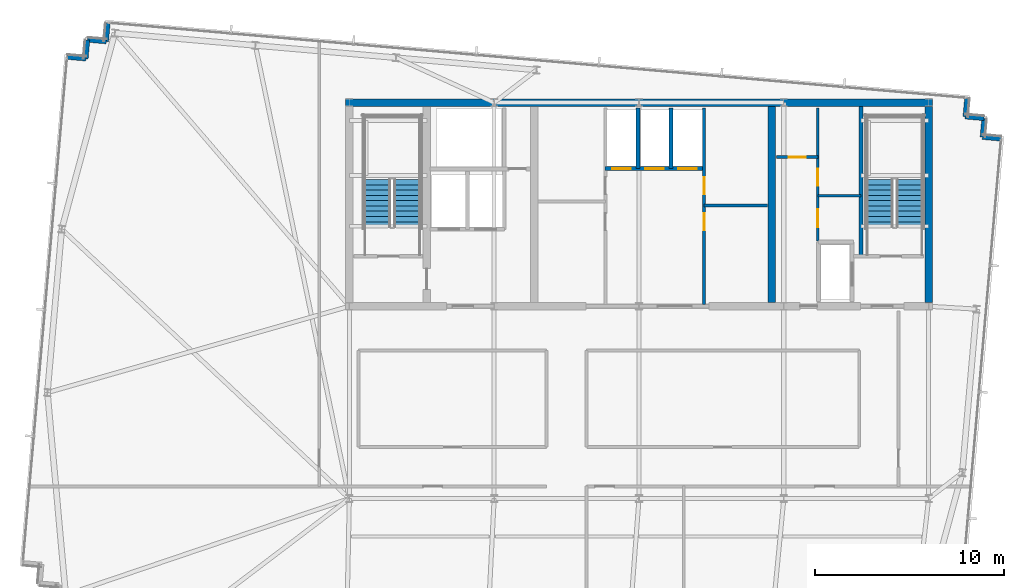
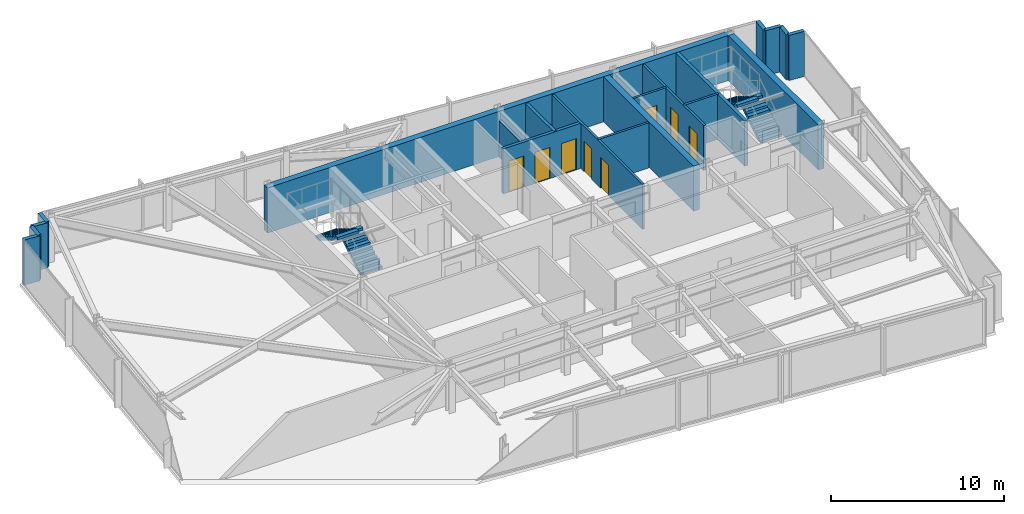
# One storey, part 28 of 32: 20 walls, 8 doors, 4 stair flights, 8 openings, 2 elements without a shape of their own.
"""IFC4 building model written with IfcOpenShell, lengths in metres."""

from ifc_helpers import new_model, si_unit, direction, frame, frame_2d, origin, place, context, subcontext, project, spatial, polyline, rectangle, outline, extrude, material, layer, layer_set, type_object, element, fill, aggregate, save


model = new_model("IFC4")

# Units and contexts
model_context = context("Model", 3, precision=1e-05, world=origin(), true_north=direction((0.0, 1.0)))
body_context = subcontext(model_context, "Body", "Model", "MODEL_VIEW")
ifc_project = project(units=[si_unit("LENGTHUNIT", "METRE"), si_unit("AREAUNIT", "SQUARE_METRE"), si_unit("VOLUMEUNIT", "CUBIC_METRE"), si_unit("PLANEANGLEUNIT", "RADIAN"), si_unit("MASSUNIT", "GRAM", prefix="KILO")], contexts=[model_context])

# Site, building, storey
site_placement = place(None, origin())
site = spatial("IfcSite", under=ifc_project, at=site_placement, CompositionType="ELEMENT")
building_placement = place(site_placement, origin())
building = spatial("IfcBuilding", under=site, at=building_placement, Name="Yelkora Congress Tower", CompositionType="ELEMENT")
storey_placement = place(building_placement, frame((0.0, 0.0, 262.5)))
storey = spatial("IfcBuildingStorey", under=building, at=storey_placement, Name="L73", CompositionType="ELEMENT", Elevation=262.5)

# Walls
ifc_material_1 = material(Name="Concrete C50/60", Category="concrete")
ifc_layer_1 = layer(ifc_material_1, 0.219970703125)
ifc_layer_set_1 = layer_set([ifc_layer_1], Name="Concrete C50/60")
wall_type_1 = type_object("IfcWallType", Name="WALL-CORE-INT-220", PredefinedType="SHEAR", material=ifc_layer_set_1)
wall_1_placement = place(storey_placement, frame((50.179931640625, 38.050048828125, 0.0), z_axis=(0.0, 0.0, 1.0), x_axis=(0.0, 1.0, 0.0)))
element("IfcWall", 1, at=wall_1_placement, inside=storey, type_object=wall_type_1, Name="L73 ST02 West Stair Shear Wall", PredefinedType="SHEAR", context=body_context, shape_type="SweptSolid", body=[
    extrude(rectangle(XDim=7.949951171875, YDim=0.219970703125, at=frame_2d((3.97509765625, 0.0))), origin(), (0.0, 0.0, 1.0), 3.179931640625),
])
ifc_layer_2 = layer(ifc_material_1, 0.39990234375)
ifc_layer_set_2 = layer_set([ifc_layer_2], Name="Concrete C50/60")
wall_type_2 = type_object("IfcWallType", Name="WALL-CORE-INT-400", PredefinedType="SHEAR", material=ifc_layer_set_2)
wall_2_placement = place(storey_placement, frame((22.840087890625, 46.199951171875, 0.0), z_axis=(0.0, 0.0, 1.0), x_axis=(1.0, 0.0, 0.0)))
element("IfcWall", 2, at=wall_2_placement, inside=storey, type_object=wall_type_2, Name="L73 Rear Core North Shear Wall", PredefinedType="SHEAR", context=body_context, shape_type="SweptSolid", body=[
    extrude(rectangle(XDim=31.119873046875, YDim=0.39990234375, at=frame_2d((15.56005859375, 0.0))), origin(), (0.0, 0.0, 1.0), 3.179931640625),
])
for number, where, z_axis, x_axis, name in (
    (3, (45.449951171875, 35.60009765625, 0.0), (0.0, 0.0, 1.0), (0.0, 1.0, 0.0), "L73 Rear Core Cross Shear Wall C3"),
    (4, (53.760009765625, 35.60009765625, 0.0), (0.0, 0.0, 1.0), (0.0, 1.0, 0.0), "L73 Rear Core Cross Shear Wall E"),
):
    element("IfcWall", number, at=place(storey_placement, frame(where, z_axis=z_axis, x_axis=x_axis)), inside=storey, type_object=wall_type_2, Name=name, PredefinedType="SHEAR", context=body_context, shape_type="SweptSolid", body=[
        extrude(rectangle(XDim=10.39990234375, YDim=0.39990234375, at=frame_2d((5.199951171875, 0.0))), origin(), (0.0, 0.0, 1.0), 3.179931640625),
    ])
ifc_material_2 = material(Name="Concrete C40/50", Category="concrete")
ifc_layer_3 = layer(ifc_material_2, 0.239990234375)
ifc_layer_set_3 = layer_set([ifc_layer_3], Name="Concrete C40/50")
wall_type_3 = type_object("IfcWallType", Name="WALL-EXT-LIMESTONE-240", PredefinedType="SOLIDWALL", material=ifc_layer_set_3)
for number, where, z_axis, x_axis, name in (
    (5, (8.0732421875, 48.609619140625, 0.0), (0.0, 0.0, 1.0), (0.996195572005, -0.087145753297, 0.0), "L73 Serrated Corner Limestone Pier 6"),
    (6, (9.069580078125, 48.5224609375, 0.0), (0.0, 0.0, 1.0), (0.087145753297, 0.996195572005, 0.0), "L73 Serrated Corner Limestone Pier 7"),
):
    element("IfcWall", number, at=place(storey_placement, frame(where, z_axis=z_axis, x_axis=x_axis)), inside=storey, type_object=wall_type_3, Name=name, PredefinedType="SOLIDWALL", context=body_context, shape_type="SweptSolid", body=[
        extrude(rectangle(XDim=1.000244140625, YDim=0.239990234375, at=frame_2d((0.5, 0.0))), origin(), (0.0, 0.0, 1.0), 3.179931640625),
    ])
for number, where, z_axis, x_axis, name in (
    (7, (9.15673828125, 49.518798828125, 0.0), (0.0, 0.0, 1.0), (0.996193717496, -0.087166950281, 0.0), "L73 Serrated Corner Limestone Pier 8"),
    (8, (10.15283203125, 49.431640625, 0.0), (0.0, 0.0, 1.0), (0.087166950281, 0.996193717496, 0.0), "L73 Serrated Corner Limestone Pier 9"),
    (9, (55.785888671875, 46.443115234375, 0.0), (0.0, 0.0, 1.0), (-0.086903493655, -0.996216734848, 0.0), "L73 Serrated Corner Limestone Pier 11"),
    (10, (55.698974609375, 45.44677734375, 0.0), (0.0, 0.0, 1.0), (0.996193717496, -0.087166950281, 0.0), "L73 Serrated Corner Limestone Pier 12"),
    (11, (56.695068359375, 45.359619140625, 0.0), (0.0, 0.0, 1.0), (-0.087166950281, -0.996193717496, 0.0), "L73 Serrated Corner Limestone Pier 13"),
    (12, (56.60791015625, 44.363525390625, 0.0), (0.0, 0.0, 1.0), (0.996193717496, -0.087166950281, 0.0), "L73 Serrated Corner Limestone Pier 14"),
):
    element("IfcWall", number, at=place(storey_placement, frame(where, z_axis=z_axis, x_axis=x_axis)), inside=storey, type_object=wall_type_3, Name=name, PredefinedType="SOLIDWALL", context=body_context, shape_type="SweptSolid", body=[
        extrude(rectangle(XDim=1.0, YDim=0.239990234375, at=frame_2d((0.5, 0.0))), origin(), (0.0, 0.0, 1.0), 3.179931640625),
    ])

# Wall, opening, door
ifc_material_3 = material(Name="Acoustic metal-stud gypsum partition", Category="gypsum")
ifc_layer_4 = layer(ifc_material_3, 0.14990234375)
ifc_layer_set_4 = layer_set([ifc_layer_4], Name="Acoustic metal-stud gypsum partition")
wall_type_4 = type_object("IfcWallType", Name="WALL-INT-150-NR", PredefinedType="PARTITIONING", material=ifc_layer_set_4)
wall_3_placement = place(storey_placement, frame((45.679931640625, 43.31005859375, 0.0), z_axis=(0.0, 0.0, 1.0), x_axis=(1.0, 0.0, 0.0)))
wall_3 = element("IfcWall", 13, at=wall_3_placement, inside=storey, type_object=wall_type_4, Name="L73 Partition Wall 20", PredefinedType="PARTITIONING", context=body_context, shape_type="SweptSolid", body=[
    extrude(rectangle(XDim=2.199951171875, YDim=0.14990234375, at=frame_2d((1.10009765625, 0.0))), origin(), (0.0, 0.0, 1.0), 3.179931640625),
])
opening_1_placement = place(wall_3_placement, frame((0.64990234375, 0.0, 0.0)))
opening_1 = element("IfcOpeningElement", 14, at=opening_1_placement, cuts=wall_3, Name="Opening DR-090N", PredefinedType="OPENING", context=body_context, shape_type="SweptSolid", body=[
    extrude(rectangle(XDim=0.89990234375, YDim=2.14990234375, at=frame_2d((0.449951171875, 1.074951171875))), frame((0.0, 0.0849609375, 0.0), z_axis=(0.0, -1.0, 0.0), x_axis=(1.0, 0.0, 0.0)), (0.0, 0.0, 1.0), 0.169921875),
])
ifc_material_4 = material(Name="Moisture-resistant laminate door leaf", Category="wood")
door_type_1 = type_object("IfcDoorType", Name="DOOR-INT-900", OperationType="NOTDEFINED", PredefinedType="DOOR", material=ifc_material_4)
door_1_placement = place(opening_1_placement, origin())
door_1 = element("IfcDoor", 15, at=door_1_placement, inside=storey, type_object=door_type_1, Name="L73 Male WC Door", OperationType="SINGLE_SWING_LEFT", OverallHeight=2.14990234375, OverallWidth=0.89990234375, PredefinedType="DOOR", context=body_context, shape_type="SweptSolid", body=[
    extrude(rectangle(XDim=0.89990234375, YDim=2.14990234375, at=frame_2d((0.449951171875, 1.074951171875))), frame((0.0, 0.02490234375, 0.0), z_axis=(0.0, -1.0, 0.0), x_axis=(1.0, 0.0, 0.0)), (0.0, 0.0, 1.0), 0.050048828125),
])
fill(opening_1, door_1)

# Wall
wall_4_placement = place(storey_placement, frame((47.8798828125, 41.260009765625, 0.0), z_axis=(0.0, 0.0, 1.0), x_axis=(1.0, 0.0, 0.0)))
element("IfcWall", 16, at=wall_4_placement, inside=storey, type_object=wall_type_4, Name="L73 Partition Wall 21", PredefinedType="PARTITIONING", context=body_context, shape_type="SweptSolid", body=[
    extrude(rectangle(XDim=2.300048828125, YDim=0.14990234375, at=frame_2d((1.14990234375, 0.0))), origin(), (0.0, 0.0, 1.0), 3.179931640625),
])

# Wall, openings, doors
wall_5_placement = place(storey_placement, frame((47.8798828125, 38.85009765625, 0.0), z_axis=(0.0, 0.0, 1.0), x_axis=(0.0, 1.0, 0.0)))
wall_5 = element("IfcWall", 17, at=wall_5_placement, inside=storey, type_object=wall_type_4, Name="L73 Partition Wall 22", PredefinedType="PARTITIONING", context=body_context, shape_type="SweptSolid", body=[
    extrude(rectangle(XDim=7.06982421875, YDim=0.14990234375, at=frame_2d((3.534912109375, 0.0))), origin(), (0.0, 0.0, 1.0), 3.179931640625),
])
opening_2_placement = place(wall_5_placement, frame((0.75, 0.0, 0.0)))
opening_2 = element("IfcOpeningElement", 18, at=opening_2_placement, cuts=wall_5, Name="Opening DR-095N", PredefinedType="OPENING", context=body_context, shape_type="SweptSolid", body=[
    extrude(rectangle(XDim=0.949951171875, YDim=2.14990234375, at=frame_2d((0.47509765625, 1.074951171875))), frame((0.0, 0.0849609375, 0.0), z_axis=(0.0, -1.0, 0.0), x_axis=(1.0, 0.0, 0.0)), (0.0, 0.0, 1.0), 0.169921875),
])
opening_3_placement = place(wall_5_placement, frame((2.949951171875, 0.0, 0.0)))
opening_3 = element("IfcOpeningElement", 19, at=opening_3_placement, cuts=wall_5, Name="Opening DR-090N", PredefinedType="OPENING", context=body_context, shape_type="SweptSolid", body=[
    extrude(rectangle(XDim=0.89990234375, YDim=2.14990234375, at=frame_2d((0.449951171875, 1.074951171875))), frame((0.0, 0.0849609375, 0.0), z_axis=(0.0, -1.0, 0.0), x_axis=(1.0, 0.0, 0.0)), (0.0, 0.0, 1.0), 0.169921875),
])
door_2_placement = place(opening_3_placement, origin())
door_2 = element("IfcDoor", 20, at=door_2_placement, inside=storey, type_object=door_type_1, Name="L73 Female WC Door", OperationType="SINGLE_SWING_LEFT", OverallHeight=2.14990234375, OverallWidth=0.89990234375, PredefinedType="DOOR", context=body_context, shape_type="SweptSolid", body=[
    extrude(rectangle(XDim=0.89990234375, YDim=2.14990234375, at=frame_2d((0.449951171875, 1.074951171875))), frame((0.0, 0.02490234375, 0.0), z_axis=(0.0, -1.0, 0.0), x_axis=(1.0, 0.0, 0.0)), (0.0, 0.0, 1.0), 0.050048828125),
])
fill(opening_3, door_2)
ifc_material_5 = material(Name="Acoustic laminated timber office door", Category="wood")
door_type_2 = type_object("IfcDoorType", Name="DOOR-INT-950", OperationType="NOTDEFINED", PredefinedType="DOOR", material=ifc_material_5)
door_3_placement = place(opening_2_placement, origin())
door_3 = element("IfcDoor", 21, at=door_3_placement, inside=storey, type_object=door_type_2, Name="L73 Accessible WC Door", OperationType="SINGLE_SWING_RIGHT", OverallHeight=2.14990234375, OverallWidth=0.949951171875, PredefinedType="DOOR", context=body_context, shape_type="SweptSolid", body=[
    extrude(rectangle(XDim=0.949951171875, YDim=2.14990234375, at=frame_2d((0.47509765625, 1.074951171875))), frame((0.0, 0.02490234375, 0.0), z_axis=(0.0, -1.0, 0.0), x_axis=(1.0, 0.0, 0.0)), (0.0, 0.0, 1.0), 0.050048828125),
])
fill(opening_2, door_3)

# Wall
ifc_material_6 = material(Name="Twin-stud fire-rated gypsum partition", Category="gypsum")
ifc_layer_5 = layer(ifc_material_6, 0.14990234375)
ifc_layer_set_5 = layer_set([ifc_layer_5], Name="Twin-stud fire-rated gypsum partition")
wall_type_5 = type_object("IfcWallType", Name="WALL-INT-150-R60", PredefinedType="PARTITIONING", material=ifc_layer_set_5)
wall_6_placement = place(storey_placement, frame((41.85009765625, 40.75, 0.0), z_axis=(0.0, 0.0, 1.0), x_axis=(1.0, 0.0, 0.0)))
element("IfcWall", 22, at=wall_6_placement, inside=storey, type_object=wall_type_5, Name="L73 Partition Wall 13", PredefinedType="PARTITIONING", context=body_context, shape_type="SweptSolid", body=[
    extrude(rectangle(XDim=3.369873046875, YDim=0.14990234375, at=frame_2d((1.68505859375, 0.0))), origin(), (0.0, 0.0, 1.0), 3.179931640625),
])

# Wall, openings, doors
wall_7_placement = place(storey_placement, frame((41.85009765625, 35.5, 0.0), z_axis=(0.0, 0.0, 1.0), x_axis=(0.0, 1.0, 0.0)))
wall_7 = element("IfcWall", 23, at=wall_7_placement, inside=storey, type_object=wall_type_5, Name="L73 Partition Wall 14", PredefinedType="PARTITIONING", context=body_context, shape_type="SweptSolid", body=[
    extrude(rectangle(XDim=10.419921875, YDim=0.14990234375, at=frame_2d((5.2099609375, 0.0))), origin(), (0.0, 0.0, 1.0), 3.179931640625),
])
opening_4_placement = place(wall_7_placement, frame((3.919921875, 0.0, 0.0)))
opening_4 = element("IfcOpeningElement", 24, at=opening_4_placement, cuts=wall_7, Name="Opening DR-090F6", PredefinedType="OPENING", context=body_context, shape_type="SweptSolid", body=[
    extrude(rectangle(XDim=0.89990234375, YDim=2.14990234375, at=frame_2d((0.449951171875, 1.074951171875))), frame((0.0, 0.0849609375, 0.0), z_axis=(0.0, -1.0, 0.0), x_axis=(1.0, 0.0, 0.0)), (0.0, 0.0, 1.0), 0.169921875),
])
opening_5_placement = place(wall_7_placement, frame((5.85009765625, 0.0, 0.0)))
opening_5 = element("IfcOpeningElement", 25, at=opening_5_placement, cuts=wall_7, Name="Opening DR-090F6", PredefinedType="OPENING", context=body_context, shape_type="SweptSolid", body=[
    extrude(rectangle(XDim=0.89990234375, YDim=2.14990234375, at=frame_2d((0.449951171875, 1.074951171875))), frame((0.0, 0.0849609375, 0.0), z_axis=(0.0, -1.0, 0.0), x_axis=(1.0, 0.0, 0.0)), (0.0, 0.0, 1.0), 0.169921875),
])
ifc_material_7 = material(Name="Painted steel riser fire door leaf", Category="steel")
door_type_3 = type_object("IfcDoorType", Name="DOOR-FD60-900", OperationType="NOTDEFINED", PredefinedType="DOOR", material=ifc_material_7)
door_4_placement = place(opening_4_placement, origin())
door_4 = element("IfcDoor", 26, at=door_4_placement, inside=storey, type_object=door_type_3, Name="L73 High-Zone BMS Door", OperationType="SINGLE_SWING_RIGHT", OverallHeight=2.14990234375, OverallWidth=0.89990234375, PredefinedType="DOOR", context=body_context, shape_type="SweptSolid", body=[
    extrude(rectangle(XDim=0.89990234375, YDim=2.14990234375, at=frame_2d((0.449951171875, 1.074951171875))), frame((0.0, 0.02490234375, 0.0), z_axis=(0.0, -1.0, 0.0), x_axis=(1.0, 0.0, 0.0)), (0.0, 0.0, 1.0), 0.050048828125),
])
fill(opening_4, door_4)
door_5_placement = place(opening_5_placement, origin())
door_5 = element("IfcDoor", 27, at=door_5_placement, inside=storey, type_object=door_type_3, Name="L73 Linen Store Door", OperationType="SINGLE_SWING_LEFT", OverallHeight=2.14990234375, OverallWidth=0.89990234375, PredefinedType="DOOR", context=body_context, shape_type="SweptSolid", body=[
    extrude(rectangle(XDim=0.89990234375, YDim=2.14990234375, at=frame_2d((0.449951171875, 1.074951171875))), frame((0.0, 0.02490234375, 0.0), z_axis=(0.0, -1.0, 0.0), x_axis=(1.0, 0.0, 0.0)), (0.0, 0.0, 1.0), 0.050048828125),
])
fill(opening_5, door_5)

ifc_material_8 = material(Name="Autoclaved aerated concrete blockwork", Category="masonry")
ifc_layer_6 = layer(ifc_material_8, 0.199951171875)
ifc_layer_set_6 = layer_set([ifc_layer_6], Name="Autoclaved aerated concrete blockwork")
wall_type_6 = type_object("IfcWallType", Name="WALL-INT-200-R120", PredefinedType="PARTITIONING", material=ifc_layer_set_6)
wall_8_placement = place(storey_placement, frame((36.60009765625, 42.699951171875, 0.0), z_axis=(0.0, 0.0, 1.0), x_axis=(1.0, 0.0, 0.0)))
wall_8 = element("IfcWall", 28, at=wall_8_placement, inside=storey, type_object=wall_type_6, Name="L73 Partition Wall 8", PredefinedType="PARTITIONING", context=body_context, shape_type="SweptSolid", body=[
    extrude(rectangle(XDim=5.25, YDim=0.199951171875, at=frame_2d((2.625, 0.0))), origin(), (0.0, 0.0, 1.0), 3.179931640625),
])
opening_6_placement = place(wall_8_placement, frame((0.375, 0.0, 0.0)))
opening_6 = element("IfcOpeningElement", 29, at=opening_6_placement, cuts=wall_8, Name="Opening LD-PS10", PredefinedType="OPENING", context=body_context, shape_type="SweptSolid", body=[
    extrude(rectangle(XDim=1.0, YDim=2.199951171875, at=frame_2d((0.5, 1.10009765625))), frame((0.0, 0.10986328125, 0.0), z_axis=(0.0, -1.0, 0.0), x_axis=(1.0, 0.0, 0.0)), (0.0, 0.0, 1.0), 0.219970703125),
])
opening_7_placement = place(wall_8_placement, frame((2.125, 0.0, 0.0)))
opening_7 = element("IfcOpeningElement", 30, at=opening_7_placement, cuts=wall_8, Name="Opening LD-PS10", PredefinedType="OPENING", context=body_context, shape_type="SweptSolid", body=[
    extrude(rectangle(XDim=1.0, YDim=2.199951171875, at=frame_2d((0.5, 1.10009765625))), frame((0.0, 0.10986328125, 0.0), z_axis=(0.0, -1.0, 0.0), x_axis=(1.0, 0.0, 0.0)), (0.0, 0.0, 1.0), 0.219970703125),
])
opening_8_placement = place(wall_8_placement, frame((3.875, 0.0, 0.0)))
opening_8 = element("IfcOpeningElement", 31, at=opening_8_placement, cuts=wall_8, Name="Opening LD-PS10", PredefinedType="OPENING", context=body_context, shape_type="SweptSolid", body=[
    extrude(rectangle(XDim=1.0, YDim=2.199951171875, at=frame_2d((0.5, 1.10009765625))), frame((0.0, 0.10986328125, 0.0), z_axis=(0.0, -1.0, 0.0), x_axis=(1.0, 0.0, 0.0)), (0.0, 0.0, 1.0), 0.219970703125),
])
ifc_material_9 = material(Name="Champagne stainless steel landing door", Category="steel")
door_type_4 = type_object("IfcDoorType", Name="DOOR-LIFT-PAS-1000", OperationType="DOUBLE_DOOR_SLIDING", PredefinedType="DOOR", material=ifc_material_9)
door_6_placement = place(opening_6_placement, origin())
door_6 = element("IfcDoor", 32, at=door_6_placement, inside=storey, type_object=door_type_4, Name="Lift Landing Door LF-P9 L73", OperationType="DOUBLE_DOOR_SLIDING", OverallHeight=2.199951171875, OverallWidth=1.0, PredefinedType="DOOR", context=body_context, shape_type="SweptSolid", body=[
    extrude(rectangle(XDim=1.0, YDim=2.199951171875, at=frame_2d((0.5, 1.10009765625))), frame((0.0, 0.02490234375, 0.0), z_axis=(0.0, -1.0, 0.0), x_axis=(1.0, 0.0, 0.0)), (0.0, 0.0, 1.0), 0.050048828125),
])
fill(opening_6, door_6)
door_7_placement = place(opening_7_placement, origin())
door_7 = element("IfcDoor", 33, at=door_7_placement, inside=storey, type_object=door_type_4, Name="Lift Landing Door LF-P10 L73", OperationType="DOUBLE_DOOR_SLIDING", OverallHeight=2.199951171875, OverallWidth=1.0, PredefinedType="DOOR", context=body_context, shape_type="SweptSolid", body=[
    extrude(rectangle(XDim=1.0, YDim=2.199951171875, at=frame_2d((0.5, 1.10009765625))), frame((0.0, 0.02490234375, 0.0), z_axis=(0.0, -1.0, 0.0), x_axis=(1.0, 0.0, 0.0)), (0.0, 0.0, 1.0), 0.050048828125),
])
fill(opening_7, door_7)
door_8_placement = place(opening_8_placement, origin())
door_8 = element("IfcDoor", 34, at=door_8_placement, inside=storey, type_object=door_type_4, Name="Lift Landing Door LF-P11 L73", OperationType="DOUBLE_DOOR_SLIDING", OverallHeight=2.199951171875, OverallWidth=1.0, PredefinedType="DOOR", context=body_context, shape_type="SweptSolid", body=[
    extrude(rectangle(XDim=1.0, YDim=2.199951171875, at=frame_2d((0.5, 1.10009765625))), frame((0.0, 0.02490234375, 0.0), z_axis=(0.0, -1.0, 0.0), x_axis=(1.0, 0.0, 0.0)), (0.0, 0.0, 1.0), 0.050048828125),
])
fill(opening_8, door_8)

# Walls
wall_9_placement = place(storey_placement, frame((38.35009765625, 42.699951171875, 0.0), z_axis=(0.0, 0.0, 1.0), x_axis=(0.0, 1.0, 0.0)))
element("IfcWall", 35, at=wall_9_placement, inside=storey, type_object=wall_type_6, Name="L73 Partition Wall 9", PredefinedType="PARTITIONING", context=body_context, shape_type="SweptSolid", body=[
    extrude(rectangle(XDim=3.219970703125, YDim=0.199951171875, at=frame_2d((1.60986328125, 0.0))), origin(), (0.0, 0.0, 1.0), 2.574951171875),
])
wall_10_placement = place(storey_placement, frame((40.10009765625, 42.699951171875, 0.0), z_axis=(0.0, 0.0, 1.0), x_axis=(0.0, 1.0, 0.0)))
element("IfcWall", 36, at=wall_10_placement, inside=storey, type_object=wall_type_6, Name="L73 Partition Wall 10", PredefinedType="PARTITIONING", context=body_context, shape_type="SweptSolid", body=[
    extrude(rectangle(XDim=3.219970703125, YDim=0.199951171875, at=frame_2d((1.60986328125, 0.0))), origin(), (0.0, 0.0, 1.0), 3.179931640625),
])

# Stair, stair flights
stair_type = type_object("IfcStairType", Name="STAIR-HT-1420-R20-170", PredefinedType="HALF_TURN_STAIR", material=ifc_material_2)
stair_1_placement = place(storey_placement, origin())
stair_1 = element("IfcStair", 37, at=stair_1_placement, inside=storey, type_object=stair_type, Name="West Core Protected Exit Stair ST-01 (L73)", PredefinedType="HALF_TURN_STAIR")
stair_flight_type = type_object("IfcStairFlightType", Name="FLIGHT-1420-N10-R170-G280", PredefinedType="STRAIGHT", material=ifc_material_2)
stair_flight_1_placement = place(storey_placement, frame((26.110107421875, 39.60009765625, 0.0), z_axis=(0.0, 0.0, 1.0), x_axis=(0.0, 1.0, 0.0)))
stair_flight_1 = element("IfcStairFlight", 38, at=stair_flight_1_placement, type_object=stair_flight_type, Name="ST-01 L73 Flight 1", NumberOfRisers=10, NumberOfTreads=9, PredefinedType="STRAIGHT", RiserHeight=0.17, TreadLength=0.28, context=body_context, shape_type="SweptSolid", body=[
    extrude(outline(polyline([(0.0, 0.0), (0.0, 0.169921875), (0.280029296875, 0.169921875), (0.280029296875, 0.340087890625), (0.56005859375, 0.340087890625), (0.56005859375, 0.510009765625), (0.840087890625, 0.510009765625), (0.840087890625, 0.679931640625), (1.1201171875, 0.679931640625), (1.1201171875, 0.85009765625), (1.39990234375, 0.85009765625), (1.39990234375, 1.02001953125), (1.679931640625, 1.02001953125), (1.679931640625, 1.18994140625), (1.9599609375, 1.18994140625), (1.9599609375, 1.360107421875), (2.239990234375, 1.360107421875), (2.239990234375, 1.530029296875), (2.52001953125, 1.530029296875), (2.52001953125, 1.699951171875), (2.52001953125, 1.343017578125), (0.30810546875, 0.0), (0.0, 0.0)])), frame((0.0, 0.7099609375, 0.0), z_axis=(0.0, -1.0, 0.0), x_axis=(1.0, 0.0, 0.0)), (0.0, 0.0, 1.0), 1.419921875),
])
stair_flight_2_placement = place(storey_placement, frame((24.530029296875, 42.1201171875, 1.699951171875), z_axis=(0.0, 0.0, 1.0), x_axis=(0.0, -1.0, 0.0)))
stair_flight_2 = element("IfcStairFlight", 39, at=stair_flight_2_placement, type_object=stair_flight_type, Name="ST-01 L73 Flight 2", NumberOfRisers=10, NumberOfTreads=9, PredefinedType="STRAIGHT", RiserHeight=0.17, TreadLength=0.28, context=body_context, shape_type="SweptSolid", body=[
    extrude(outline(polyline([(0.0, 0.0), (0.0, 0.169921875), (0.280029296875, 0.169921875), (0.280029296875, 0.340087890625), (0.56005859375, 0.340087890625), (0.56005859375, 0.510009765625), (0.840087890625, 0.510009765625), (0.840087890625, 0.679931640625), (1.1201171875, 0.679931640625), (1.1201171875, 0.85009765625), (1.39990234375, 0.85009765625), (1.39990234375, 1.02001953125), (1.679931640625, 1.02001953125), (1.679931640625, 1.18994140625), (1.9599609375, 1.18994140625), (1.9599609375, 1.360107421875), (2.239990234375, 1.360107421875), (2.239990234375, 1.530029296875), (2.52001953125, 1.530029296875), (2.52001953125, 1.699951171875), (2.52001953125, 1.343017578125), (0.30810546875, 0.0), (0.0, 0.0)])), frame((0.0, 0.7099609375, 0.0), z_axis=(0.0, -1.0, 0.0), x_axis=(1.0, 0.0, 0.0)), (0.0, 0.0, 1.0), 1.419921875),
])
aggregate(stair_1, [stair_flight_1, stair_flight_2])

stair_2_placement = place(storey_placement, origin())
stair_2 = element("IfcStair", 40, at=stair_2_placement, inside=storey, type_object=stair_type, Name="East Core Protected Exit Stair ST-02 (L73)", PredefinedType="HALF_TURN_STAIR")
stair_flight_3_placement = place(storey_placement, frame((52.75, 39.60009765625, 0.0), z_axis=(0.0, 0.0, 1.0), x_axis=(0.0, 1.0, 0.0)))
stair_flight_3 = element("IfcStairFlight", 41, at=stair_flight_3_placement, type_object=stair_flight_type, Name="ST-02 L73 Flight 1", NumberOfRisers=10, NumberOfTreads=9, PredefinedType="STRAIGHT", RiserHeight=0.17, TreadLength=0.28, context=body_context, shape_type="SweptSolid", body=[
    extrude(outline(polyline([(0.0, 0.0), (0.0, 0.169921875), (0.280029296875, 0.169921875), (0.280029296875, 0.340087890625), (0.56005859375, 0.340087890625), (0.56005859375, 0.510009765625), (0.840087890625, 0.510009765625), (0.840087890625, 0.679931640625), (1.1201171875, 0.679931640625), (1.1201171875, 0.85009765625), (1.39990234375, 0.85009765625), (1.39990234375, 1.02001953125), (1.679931640625, 1.02001953125), (1.679931640625, 1.18994140625), (1.9599609375, 1.18994140625), (1.9599609375, 1.360107421875), (2.239990234375, 1.360107421875), (2.239990234375, 1.530029296875), (2.52001953125, 1.530029296875), (2.52001953125, 1.699951171875), (2.52001953125, 1.343017578125), (0.30810546875, 0.0), (0.0, 0.0)])), frame((0.0, 0.7099609375, 0.0), z_axis=(0.0, -1.0, 0.0), x_axis=(1.0, 0.0, 0.0)), (0.0, 0.0, 1.0), 1.419921875),
])
stair_flight_4_placement = place(storey_placement, frame((51.169921875, 42.1201171875, 1.699951171875), z_axis=(0.0, 0.0, 1.0), x_axis=(0.0, -1.0, 0.0)))
stair_flight_4 = element("IfcStairFlight", 42, at=stair_flight_4_placement, type_object=stair_flight_type, Name="ST-02 L73 Flight 2", NumberOfRisers=10, NumberOfTreads=9, PredefinedType="STRAIGHT", RiserHeight=0.17, TreadLength=0.28, context=body_context, shape_type="SweptSolid", body=[
    extrude(outline(polyline([(0.0, 0.0), (0.0, 0.169921875), (0.280029296875, 0.169921875), (0.280029296875, 0.340087890625), (0.56005859375, 0.340087890625), (0.56005859375, 0.510009765625), (0.840087890625, 0.510009765625), (0.840087890625, 0.679931640625), (1.1201171875, 0.679931640625), (1.1201171875, 0.85009765625), (1.39990234375, 0.85009765625), (1.39990234375, 1.02001953125), (1.679931640625, 1.02001953125), (1.679931640625, 1.18994140625), (1.9599609375, 1.18994140625), (1.9599609375, 1.360107421875), (2.239990234375, 1.360107421875), (2.239990234375, 1.530029296875), (2.52001953125, 1.530029296875), (2.52001953125, 1.699951171875), (2.52001953125, 1.343017578125), (0.30810546875, 0.0), (0.0, 0.0)])), frame((0.0, 0.7099609375, 0.0), z_axis=(0.0, -1.0, 0.0), x_axis=(1.0, 0.0, 0.0)), (0.0, 0.0, 1.0), 1.419921875),
])
aggregate(stair_2, [stair_flight_3, stair_flight_4])

save(model, "model.ifc")
